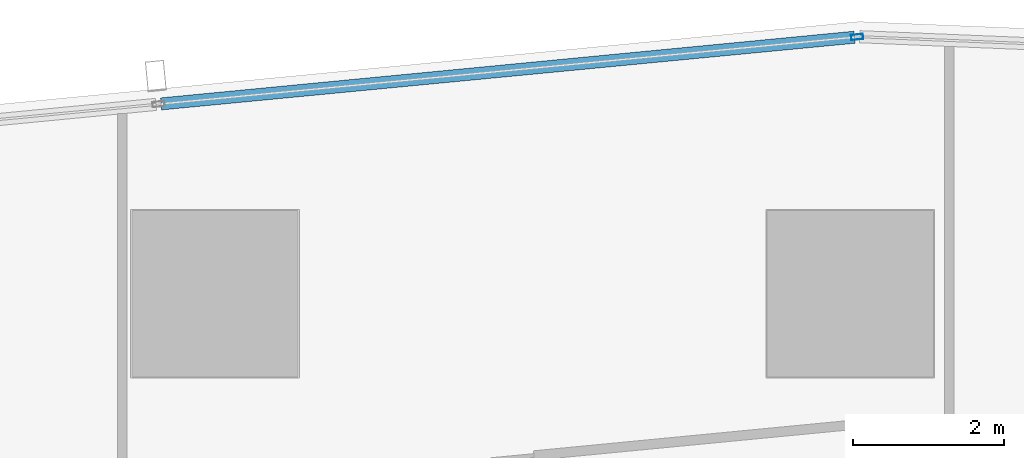
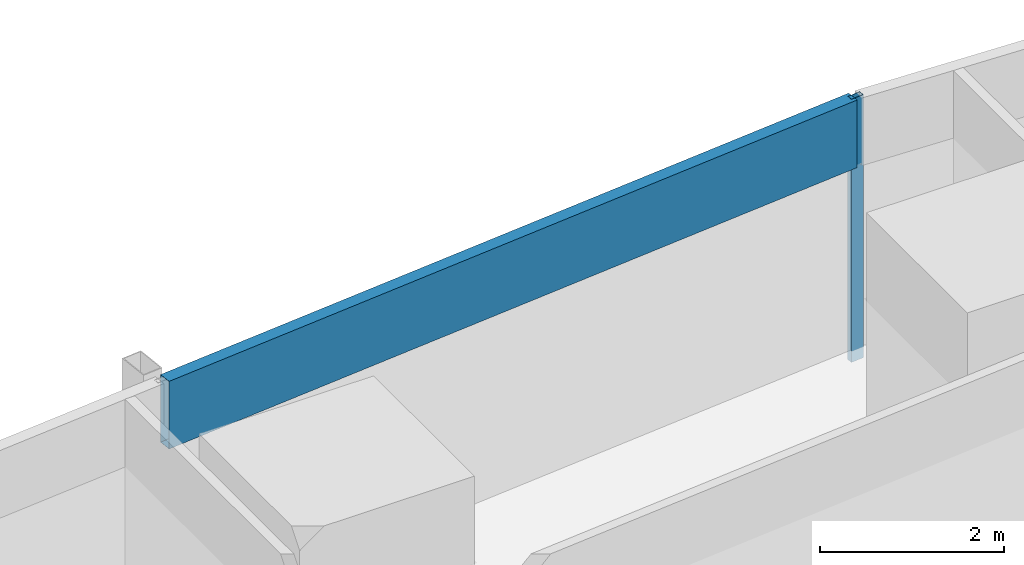
# One storey, part 17 of 44: 2 members, 1 element without a shape of its own.
"""IFC4 building model written with IfcOpenShell, lengths in metres."""

import ifcopenshell
import ifcopenshell.guid

model = None  # the IFC model being written
_history = None  # IfcOwnerHistory: only IFC2X3 demands one
_inside = {}  # id of a spatial element -> (the spatial element, [elements in it])
_under = {}  # id of a project, library or spatial element -> (it, [spatial elements below it])
_declared = {}  # id of a project -> (the project, [libraries it declares])
_typed = {}  # id of a type object -> (the type object, [elements of that type])
_made_of = {}  # id of a material, layer set ... -> (it, [elements and type objects made of it])


def new_model(schema):
    """Start an empty IFC model of exactly this schema.

    Asked for "IFC4X3", IfcOpenShell would pick the latest addendum, in which some entities
    have other attributes; the version numbers below select the first issue.
    IFC2X3 requires an IfcOwnerHistory on every rooted entity: one is made here for all.
    """
    global model, _history
    if schema == "IFC4X3":
        model = ifcopenshell.file(schema_version=(4, 3, 0, 0))
    else:
        model = ifcopenshell.file(schema=schema)
    _inside.clear()
    _under.clear()
    _declared.clear()
    _typed.clear()
    _made_of.clear()
    _history = None
    if model.schema == "IFC2X3":
        org = make("IfcOrganization", Name="unknown")
        user = make(
            "IfcPersonAndOrganization",
            ThePerson=make("IfcPerson", FamilyName="unknown"),
            TheOrganization=org,
        )
        app = make(
            "IfcApplication",
            ApplicationDeveloper=org,
            Version="unknown",
            ApplicationFullName="unknown",
            ApplicationIdentifier="unknown",
        )
        _history = make(
            "IfcOwnerHistory",
            OwningUser=user,
            OwningApplication=app,
            ChangeAction="ADDED",
            CreationDate=0,
        )
    return model


def make(cls, **values):
    """One entity of the class cls with the attributes given. An attribute that is None is left unset."""
    return model.create_entity(
        cls, **{name: value for name, value in values.items() if value is not None}
    )


def rooted(cls, **values):
    """An entity with a GlobalId (a new one), such as an element, a storey or a relation."""
    return make(cls, GlobalId=ifcopenshell.guid.new(), OwnerHistory=_history, **values)


def si_unit(unit_type, name, prefix=None):
    """IfcSIUnit, for example si_unit("LENGTHUNIT", "METRE", prefix="MILLI")."""
    return make("IfcSIUnit", UnitType=unit_type, Prefix=prefix, Name=name)


def assignment(units):
    """IfcUnitAssignment: the units of a project."""
    return None if units is None else make("IfcUnitAssignment", Units=units)


def point(xyz):
    """IfcCartesianPoint."""
    return None if xyz is None else make("IfcCartesianPoint", Coordinates=xyz)


def direction(xyz):
    """IfcDirection."""
    return None if xyz is None else make("IfcDirection", DirectionRatios=xyz)


def frame(location, z_axis=None, x_axis=None):
    """IfcAxis2Placement3D, a coordinate frame: its origin and axes. An axis left out is left unset."""
    return make(
        "IfcAxis2Placement3D",
        Location=point(location),
        Axis=direction(z_axis),
        RefDirection=direction(x_axis),
    )


def frame_2d(location, x_axis=None):
    """IfcAxis2Placement2D, a coordinate frame in the plane: its origin and x axis."""
    return make(
        "IfcAxis2Placement2D", Location=point(location), RefDirection=direction(x_axis)
    )


def origin():
    """The frame at (0, 0, 0) with its axes left unset."""
    return frame((0.0, 0.0, 0.0))


def origin_2d():
    """The frame at (0, 0) in the plane with its x axis left unset."""
    return frame_2d((0.0, 0.0))


def place(relative_to, where):
    """IfcLocalPlacement: puts the frame where relative to a parent placement (None: the world)."""
    return make(
        "IfcLocalPlacement", PlacementRelTo=relative_to, RelativePlacement=where
    )


def context(
    kind, dimensions, precision=None, world=None, true_north=None, identifier=None
):
    """IfcGeometricRepresentationContext, for example the 3D "Model" context."""
    return make(
        "IfcGeometricRepresentationContext",
        ContextIdentifier=identifier,
        ContextType=kind,
        CoordinateSpaceDimension=dimensions,
        Precision=precision,
        WorldCoordinateSystem=world,
        TrueNorth=true_north,
    )


def subcontext(parent, identifier, kind, view, scale=None):
    """IfcGeometricRepresentationSubContext, for example "Body" below "Model"."""
    return make(
        "IfcGeometricRepresentationSubContext",
        ContextIdentifier=identifier,
        ContextType=kind,
        ParentContext=parent,
        TargetScale=scale,
        TargetView=view,
    )


def project(units=None, contexts=None):
    """IfcProject with its units and contexts."""
    return rooted(
        "IfcProject",
        Name="project",
        RepresentationContexts=contexts,
        UnitsInContext=assignment(units),
    )


def spatial(cls, under=None, at=None, **own):
    """A site, building, storey or space (cls), placed at a placement, below another one or the project."""
    s = rooted(cls, ObjectPlacement=at, **own)
    if under is not None:
        _under.setdefault(under.id(), (under, []))[1].append(s)
    return s


def profile(cls, at=None, kind="AREA", **sizes):
    """A parametric profile (cls). Its sizes go by their IFC names, for example OverallWidth=200.0."""
    return make(cls, ProfileType=kind, Position=at, **sizes)


def hollow_rectangle(**sizes):
    """IfcRectangleHollowProfileDef."""
    return profile("IfcRectangleHollowProfileDef", **sizes)


def extrude(swept, where, along, depth):
    """IfcExtrudedAreaSolid: the profile swept, set in the frame where, extruded along a direction by depth."""
    return make(
        "IfcExtrudedAreaSolid",
        SweptArea=swept,
        Position=where,
        ExtrudedDirection=direction(along),
        Depth=depth,
    )


def shape(context_of_items, identifier, shape_type, items):
    """IfcShapeRepresentation: the items that make up one representation, for example the "Body"."""
    return make(
        "IfcShapeRepresentation",
        ContextOfItems=context_of_items,
        RepresentationIdentifier=identifier,
        RepresentationType=shape_type,
        Items=items,
    )


def material(Name=None, Category=None):
    """IfcMaterial."""
    return make("IfcMaterial", Name=Name, Category=Category)


def material_profile(
    of_material, cross_section, Name=None, Category=None, Priority=None
):
    """IfcMaterialProfile: a cross section and its material."""
    return make(
        "IfcMaterialProfile",
        Name=Name,
        Material=of_material,
        Profile=cross_section,
        Priority=Priority,
        Category=Category,
    )


def profile_set(profiles, Name=None, composite=None):
    """IfcMaterialProfileSet."""
    return make(
        "IfcMaterialProfileSet",
        Name=Name,
        MaterialProfiles=profiles,
        CompositeProfile=composite,
    )


def made_of(thing, what):
    """Note that an element or type object is made of a material, layer set ...; save() writes the relation."""
    if what is not None:
        _made_of.setdefault(what.id(), (what, []))[1].append(thing)
    return thing


def type_object(cls, material=None, **own):
    """A type object (cls), such as IfcWallType, which elements share."""
    return made_of(rooted(cls, **own), material)


def element(
    cls,
    number,
    at=None,
    inside=None,
    cuts=None,
    type_object=None,
    material=None,
    context=None,
    identifier="Body",
    shape_type=None,
    held_by="IfcProductDefinitionShape",
    body=None,
    shapes=None,
    **own,
):
    """One element of the class cls, such as IfcWall. Its Tag is "e" and its number.

    at: its placement. inside: the storey or other place that contains it. cuts: it is an
    opening in that element (IfcRelVoidsElement). A single representation is given by context,
    identifier, shape_type and body (its items); several are given by shapes. held_by: the class
    of the entity that holds the representations. save() writes the other relations.
    """
    e = rooted(cls, Tag="e%d" % number, ObjectPlacement=at, **own)
    if body is not None:
        shapes = [shape(context, identifier, shape_type, body)]
    if shapes is not None:
        e.Representation = make(held_by, Representations=shapes)
    if inside is not None:
        _inside.setdefault(inside.id(), (inside, []))[1].append(e)
    if cuts is not None:
        rooted(
            "IfcRelVoidsElement", RelatingBuildingElement=cuts, RelatedOpeningElement=e
        )
    if type_object is not None:
        _typed.setdefault(type_object.id(), (type_object, []))[1].append(e)
    return made_of(e, material)


def aggregate(whole, parts):
    """IfcRelAggregates: a whole, such as a stair, and the parts it consists of."""
    return rooted("IfcRelAggregates", RelatingObject=whole, RelatedObjects=parts)


def save(model, path):
    """Write the relations noted so far, then the file.

    IfcRelAggregates (storeys below a building ...), IfcRelContainedInSpatialStructure (elements
    in a storey), IfcRelDefinesByType, IfcRelAssociatesMaterial and IfcRelDeclares: one each for
    every whole, place, type object, material and project.
    """
    for whole, parts in _under.values():
        aggregate(whole, parts)
    for where, things in _inside.values():
        rooted(
            "IfcRelContainedInSpatialStructure",
            RelatedElements=things,
            RelatingStructure=where,
        )
    for kind, things in _typed.values():
        rooted("IfcRelDefinesByType", RelatedObjects=things, RelatingType=kind)
    for what, things in _made_of.values():
        rooted("IfcRelAssociatesMaterial", RelatedObjects=things, RelatingMaterial=what)
    for by, libraries in _declared.values():
        rooted("IfcRelDeclares", RelatingContext=by, RelatedDefinitions=libraries)
    model.write(path)


model = new_model("IFC4")

# Units and contexts
model_context = context("Model", 3, precision=1e-05, world=origin(), true_north=direction((0.0, 1.0)))
body_context = subcontext(model_context, "Body", "Model", "MODEL_VIEW")
ifc_project = project(units=[si_unit("LENGTHUNIT", "METRE"), si_unit("AREAUNIT", "SQUARE_METRE"), si_unit("VOLUMEUNIT", "CUBIC_METRE"), si_unit("PLANEANGLEUNIT", "RADIAN"), si_unit("MASSUNIT", "GRAM", prefix="KILO")], contexts=[model_context])

# Site, building, storey
site_placement = place(None, origin())
site = spatial("IfcSite", under=ifc_project, at=site_placement, CompositionType="ELEMENT")
building_placement = place(site_placement, origin())
building = spatial("IfcBuilding", under=site, at=building_placement, Name="Rekha Terrace Tower", CompositionType="ELEMENT")
storey_placement = place(building_placement, frame((0.0, 0.0, 59.14990234375)))
storey = spatial("IfcBuildingStorey", under=building, at=storey_placement, Name="L14", CompositionType="ELEMENT", Elevation=59.14990234375)

# Curtain wall, members
ifc_material_1 = material(Name="Aluminium framing", Category="aluminium")
curtain_wall_type = type_object("IfcCurtainWallType", Name="CW3 north unitised glazing", PredefinedType="USERDEFINED", material=ifc_material_1)
curtain_wall_placement = place(storey_placement, origin())
curtain_wall = element("IfcCurtainWall", 1, at=curtain_wall_placement, inside=storey, type_object=curtain_wall_type, Name="CW3 unitised curtain wall", ObjectType="UNITISED CURTAIN WALL", PredefinedType="USERDEFINED")
ifc_material_2 = material(Name="Aluminium mullion section", Category="aluminium")
ifc_material_profile_1 = material_profile(ifc_material_2, hollow_rectangle(XDim=0.070068359375, YDim=0.159912109375, WallThickness=0.00390625, at=origin_2d()), Name="AL RHS 70x160")
ifc_profile_set_1 = profile_set([ifc_material_profile_1], Name="Aluminium mullion section")
member_type_1 = type_object("IfcMemberType", Name="CW3 mullion RHS 70 x 160", PredefinedType="MULLION", material=ifc_profile_set_1)
member_1_placement = place(storey_placement, frame((25.29052734375, 62.1962890625, 0.0), z_axis=(0.0, 0.0, 1.0), x_axis=(0.095712406625, -0.995409029102, 0.0)))
member_1 = element("IfcMember", 2, at=member_1_placement, type_object=member_type_1, Name="CW3 mullion 1", PredefinedType="MULLION", context=body_context, shape_type="SweptSolid", body=[
    extrude(hollow_rectangle(XDim=0.070068359375, YDim=0.159912109375, WallThickness=0.00390625, at=origin_2d()), origin(), (0.0, 0.0, 1.0), 3.5),
])
ifc_material_3 = material(Name="Insulated aluminium spandrel box", Category="aluminium")
ifc_material_profile_2 = material_profile(ifc_material_3, hollow_rectangle(XDim=0.159912109375, YDim=0.89990234375, WallThickness=0.0029296875, at=origin_2d()), Name="AL SPANDREL BOX 160x900")
ifc_profile_set_2 = profile_set([ifc_material_profile_2], Name="Insulated aluminium spandrel box")
member_type_2 = type_object("IfcMemberType", Name="CW3 spandrel transom 160 x 900", PredefinedType="USERDEFINED", material=ifc_profile_set_2)
member_2_placement = place(storey_placement, frame((25.255859375, 62.19287109375, 3.050048828125), z_axis=(-0.995408446287, -0.095718467713, 0.0), x_axis=(0.095718467713, -0.995408446287, 0.0)))
member_2 = element("IfcMember", 3, at=member_2_placement, type_object=member_type_2, Name="CW3 spandrel transom 1", ObjectType="TRANSOM", PredefinedType="USERDEFINED", context=body_context, shape_type="SweptSolid", body=[
    extrude(hollow_rectangle(XDim=0.159912109375, YDim=0.89990234375, WallThickness=0.0029296875, at=origin_2d()), origin(), (0.0, 0.0, 1.0), 9.210205078125),
])
aggregate(curtain_wall, [member_1, member_2])

save(model, "model.ifc")
